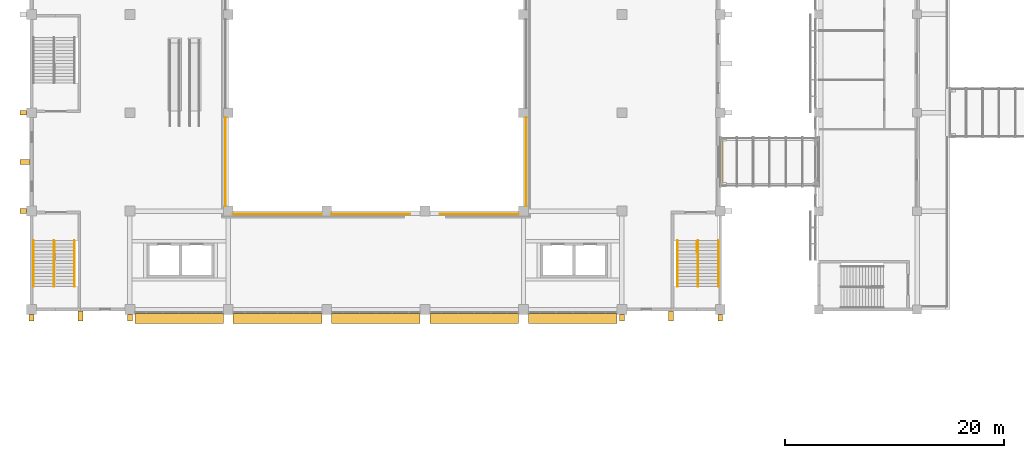
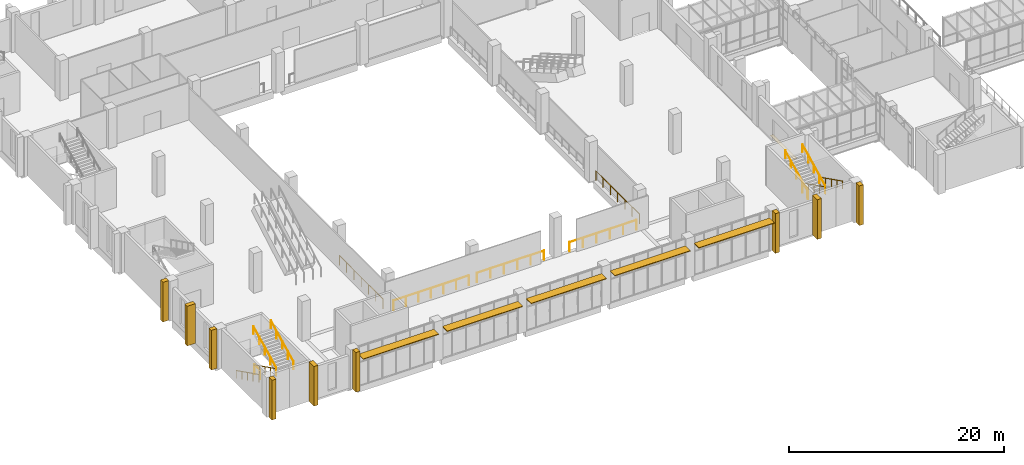
# One storey, part 79 of 88: 15 railings, 10 coverings, 5 shading devices.
"""IFC4 building model written with IfcOpenShell, lengths in metres."""

from ifc_helpers import new_model, si_unit, direction, frame, origin, origin_2d, place, context, subcontext, project, spatial, rectangle, circle, extrude, material, layer, layer_set, type_object, element, save


model = new_model("IFC4")

# Units and contexts
model_context = context("Model", 3, precision=1e-05, world=origin(), true_north=direction((0.0, 1.0)))
body_context = subcontext(model_context, "Body", "Model", "MODEL_VIEW")
ifc_project = project(units=[si_unit("LENGTHUNIT", "METRE"), si_unit("AREAUNIT", "SQUARE_METRE"), si_unit("VOLUMEUNIT", "CUBIC_METRE"), si_unit("PLANEANGLEUNIT", "RADIAN"), si_unit("MASSUNIT", "GRAM", prefix="KILO")], contexts=[model_context])

# Site, building, storey
site_placement = place(None, origin())
site = spatial("IfcSite", under=ifc_project, at=site_placement, CompositionType="ELEMENT")
building_placement = place(site_placement, origin())
building = spatial("IfcBuilding", under=site, at=building_placement, Name="Guidao Yard Department Store", CompositionType="ELEMENT")
storey_placement = place(building_placement, frame((0.0, 0.0, 6.0)))
storey = spatial("IfcBuildingStorey", under=building, at=storey_placement, Name="L01", CompositionType="ELEMENT", Elevation=6.0)

# Covering
ifc_material_1 = material(Name="Stainless steel 316", Category="steel")
ifc_layer_1 = layer(ifc_material_1, 0.010009765625)
ifc_layer_set_1 = layer_set([ifc_layer_1], Name="Bridge joint cover JC1 stainless steel 10 x 335")
covering_type_1 = type_object("IfcCoveringType", Name="Bridge joint cover JC1 stainless steel 10 x 335", PredefinedType="FLOORING", material=ifc_layer_set_1)
covering_1_placement = place(storey_placement, frame((63.0673828125, 58.5, 0.0), z_axis=(0.0, 0.0, 1.0), x_axis=(1.0, 0.0, 0.0)))
element("IfcCovering", 1, at=covering_1_placement, inside=storey, type_object=covering_type_1, Name="Bridge joint cover plate BR01", PredefinedType="FLOORING", context=body_context, shape_type="SweptSolid", body=[
    extrude(rectangle(XDim=0.3349609375, YDim=4.5, at=origin_2d()), origin(), (0.0, 0.0, 1.0), 0.010009765625),
])

# Railings
ifc_material_2 = material(Name="Steel Q235", Category="steel")
railing_type_1 = type_object("IfcRailingType", Name="Guard steel balustrade 1100", PredefinedType="GUARDRAIL", material=ifc_material_2)
for number, where, name in (
    (2, (60.875, 51.239990234375, 0.0), "Stair A2 guard L01 2"),
    (3, (2.125, 51.239990234375, 0.0), "Stair A8 guard L01 8"),
):
    element("IfcRailing", number, at=place(storey_placement, frame(where)), inside=storey, type_object=railing_type_1, Name=name, PredefinedType="GUARDRAIL", context=body_context, shape_type="SweptSolid", body=[
        extrude(circle(Radius=0.02392578125, at=origin_2d()), frame((0.0, 0.0, 1.076171875), z_axis=(0.0, -1.0, 0.0), x_axis=(1.0, 0.0, 0.0)), (0.0, 0.0, 1.0), 1.0),
        extrude(circle(Radius=0.02099609375, at=origin_2d()), origin(), (0.0, 0.0, 1.0), 1.052001953125),
        extrude(circle(Radius=0.02099609375, at=origin_2d()), frame((0.0, -1.0, 0.0)), (0.0, 0.0, 1.0), 1.052001953125),
    ])
railing_1_placement = place(storey_placement, frame((18.449951171875, 53.75, 0.0)))
element("IfcRailing", 4, at=railing_1_placement, inside=storey, type_object=railing_type_1, Name="Guard atrium S L01", PredefinedType="GUARDRAIL", context=body_context, shape_type="SweptSolid", body=[
    extrude(circle(Radius=0.02392578125, at=origin_2d()), frame((0.0, 0.0, 1.076171875), z_axis=(1.0, 0.0, 0.0), x_axis=(0.0, 1.0, 0.0)), (0.0, 0.0, 1.0), 8.10009765625),
    extrude(circle(Radius=0.02099609375, at=origin_2d()), origin(), (0.0, 0.0, 1.0), 1.052001953125),
    extrude(circle(Radius=0.02099609375, at=origin_2d()), frame((1.35009765625, 0.0, 0.0)), (0.0, 0.0, 1.0), 1.052001953125),
    extrude(circle(Radius=0.02099609375, at=origin_2d()), frame((2.699951171875, 0.0, 0.0)), (0.0, 0.0, 1.0), 1.052001953125),
    extrude(circle(Radius=0.02099609375, at=origin_2d()), frame((4.050048828125, 0.0, 0.0)), (0.0, 0.0, 1.0), 1.052001953125),
    extrude(circle(Radius=0.02099609375, at=origin_2d()), frame((5.400146484375, 0.0, 0.0)), (0.0, 0.0, 1.0), 1.052001953125),
    extrude(circle(Radius=0.02099609375, at=origin_2d()), frame((6.75, 0.0, 0.0)), (0.0, 0.0, 1.0), 1.052001953125),
    extrude(circle(Radius=0.02099609375, at=origin_2d()), frame((8.10009765625, 0.0, 0.0)), (0.0, 0.0, 1.0), 1.052001953125),
])
for number, where, name in (
    (5, (27.449951171875, 53.75, 0.0), "Guard atrium S L01"),
    (6, (37.3701171875, 53.75, 0.0), "Guard atrium S L01"),
):
    element("IfcRailing", number, at=place(storey_placement, frame(where)), inside=storey, type_object=railing_type_1, Name=name, PredefinedType="GUARDRAIL", context=body_context, shape_type="SweptSolid", body=[
        extrude(circle(Radius=0.02392578125, at=origin_2d()), frame((0.0, 0.0, 1.076171875), z_axis=(1.0, 0.0, 0.0), x_axis=(0.0, 1.0, 0.0)), (0.0, 0.0, 1.0), 7.179931640625),
        extrude(circle(Radius=0.02099609375, at=origin_2d()), origin(), (0.0, 0.0, 1.0), 1.052001953125),
        extrude(circle(Radius=0.02099609375, at=origin_2d()), frame((1.43603515625, 0.0, 0.0)), (0.0, 0.0, 1.0), 1.052001953125),
        extrude(circle(Radius=0.02099609375, at=origin_2d()), frame((2.8720703125, 0.0, 0.0)), (0.0, 0.0, 1.0), 1.052001953125),
        extrude(circle(Radius=0.02099609375, at=origin_2d()), frame((4.307861328125, 0.0, 0.0)), (0.0, 0.0, 1.0), 1.052001953125),
        extrude(circle(Radius=0.02099609375, at=origin_2d()), frame((5.743896484375, 0.0, 0.0)), (0.0, 0.0, 1.0), 1.052001953125),
        extrude(circle(Radius=0.02099609375, at=origin_2d()), frame((7.179931640625, 0.0, 0.0)), (0.0, 0.0, 1.0), 1.052001953125),
    ])
railing_2_placement = place(storey_placement, frame((45.25, 54.449951171875, 0.0)))
element("IfcRailing", 7, at=railing_2_placement, inside=storey, type_object=railing_type_1, Name="Guard atrium E L01", PredefinedType="GUARDRAIL", context=body_context, shape_type="SweptSolid", body=[
    extrude(circle(Radius=0.02392578125, at=origin_2d()), frame((0.0, 0.0, 1.076171875), z_axis=(0.0, 1.0, 0.0), x_axis=(-1.0, 0.0, 0.0)), (0.0, 0.0, 1.0), 8.10009765625),
    extrude(circle(Radius=0.02099609375, at=origin_2d()), origin(), (0.0, 0.0, 1.0), 1.052001953125),
    extrude(circle(Radius=0.02099609375, at=origin_2d()), frame((0.0, 1.35009765625, 0.0)), (0.0, 0.0, 1.0), 1.052001953125),
    extrude(circle(Radius=0.02099609375, at=origin_2d()), frame((0.0, 2.699951171875, 0.0)), (0.0, 0.0, 1.0), 1.052001953125),
    extrude(circle(Radius=0.02099609375, at=origin_2d()), frame((0.0, 4.050048828125, 0.0)), (0.0, 0.0, 1.0), 1.052001953125),
    extrude(circle(Radius=0.02099609375, at=origin_2d()), frame((0.0, 5.400146484375, 0.0)), (0.0, 0.0, 1.0), 1.052001953125),
    extrude(circle(Radius=0.02099609375, at=origin_2d()), frame((0.0, 6.75, 0.0)), (0.0, 0.0, 1.0), 1.052001953125),
    extrude(circle(Radius=0.02099609375, at=origin_2d()), frame((0.0, 8.10009765625, 0.0)), (0.0, 0.0, 1.0), 1.052001953125),
])
railing_3_placement = place(storey_placement, frame((17.75, 62.550048828125, 0.0)))
element("IfcRailing", 8, at=railing_3_placement, inside=storey, type_object=railing_type_1, Name="Guard atrium W L01", PredefinedType="GUARDRAIL", context=body_context, shape_type="SweptSolid", body=[
    extrude(circle(Radius=0.02392578125, at=origin_2d()), frame((0.0, 0.0, 1.076171875), z_axis=(0.0, -1.0, 0.0), x_axis=(1.0, 0.0, 0.0)), (0.0, 0.0, 1.0), 8.10009765625),
    extrude(circle(Radius=0.02099609375, at=origin_2d()), origin(), (0.0, 0.0, 1.0), 1.052001953125),
    extrude(circle(Radius=0.02099609375, at=origin_2d()), frame((0.0, -1.35009765625, 0.0)), (0.0, 0.0, 1.0), 1.052001953125),
    extrude(circle(Radius=0.02099609375, at=origin_2d()), frame((0.0, -2.699951171875, 0.0)), (0.0, 0.0, 1.0), 1.052001953125),
    extrude(circle(Radius=0.02099609375, at=origin_2d()), frame((0.0, -4.050048828125, 0.0)), (0.0, 0.0, 1.0), 1.052001953125),
    extrude(circle(Radius=0.02099609375, at=origin_2d()), frame((0.0, -5.400146484375, 0.0)), (0.0, 0.0, 1.0), 1.052001953125),
    extrude(circle(Radius=0.02099609375, at=origin_2d()), frame((0.0, -6.75, 0.0)), (0.0, 0.0, 1.0), 1.052001953125),
    extrude(circle(Radius=0.02099609375, at=origin_2d()), frame((0.0, -8.10009765625, 0.0)), (0.0, 0.0, 1.0), 1.052001953125),
])
ifc_material_3 = material(Name="Steel Q235", Category="steel")
railing_type_2 = type_object("IfcRailingType", Name="Handrail steel tube 48", PredefinedType="HANDRAIL", material=ifc_material_3)
for number, where, name in (
    (9, (62.81494140625, 51.300048828125, 0.14990234375), "Stair A2 hand rail L01 5"),
    (10, (60.949951171875, 51.300048828125, 0.14990234375), "Stair A2 hand rail L01 6"),
):
    element("IfcRailing", number, at=place(storey_placement, frame(where)), inside=storey, type_object=railing_type_2, Name=name, PredefinedType="HANDRAIL", context=body_context, shape_type="SweptSolid", body=[
        extrude(circle(Radius=0.02392578125, at=origin_2d()), frame((0.0, 0.0, 0.8759765625), z_axis=(0.0, -0.894416792377, 0.447234392142), x_axis=(1.0, 0.0, 0.0)), (0.0, 0.0, 1.0), 4.69580078125),
        extrude(circle(Radius=0.02099609375, at=origin_2d()), origin(), (0.0, 0.0, 1.0), 0.851806640625),
        extrude(circle(Radius=0.02099609375, at=origin_2d()), frame((0.0, -1.050048828125, 0.52490234375)), (0.0, 0.0, 1.0), 0.851806640625),
        extrude(circle(Radius=0.02099609375, at=origin_2d()), frame((0.0, -2.10009765625, 1.050048828125)), (0.0, 0.0, 1.0), 0.851806640625),
        extrude(circle(Radius=0.02099609375, at=origin_2d()), frame((0.0, -3.14990234375, 1.5751953125)), (0.0, 0.0, 1.0), 0.851806640625),
        extrude(circle(Radius=0.02099609375, at=origin_2d()), frame((0.0, -4.199951171875, 2.10009765625)), (0.0, 0.0, 1.0), 0.851806640625),
    ])
for number, where, name in (
    (11, (59.0849609375, 47.10009765625, 2.39990234375), "Stair A2 hand rail L01 7"),
    (12, (60.949951171875, 47.10009765625, 2.39990234375), "Stair A2 hand rail L01 8"),
):
    element("IfcRailing", number, at=place(storey_placement, frame(where)), inside=storey, type_object=railing_type_2, Name=name, PredefinedType="HANDRAIL", context=body_context, shape_type="SweptSolid", body=[
        extrude(circle(Radius=0.02392578125, at=origin_2d()), frame((0.0, 0.0, 0.8759765625), z_axis=(0.0, 0.894416792377, 0.447234392142), x_axis=(-1.0, 0.0, 0.0)), (0.0, 0.0, 1.0), 4.69580078125),
        extrude(circle(Radius=0.02099609375, at=origin_2d()), origin(), (0.0, 0.0, 1.0), 0.851806640625),
        extrude(circle(Radius=0.02099609375, at=origin_2d()), frame((0.0, 1.050048828125, 0.52490234375)), (0.0, 0.0, 1.0), 0.851806640625),
        extrude(circle(Radius=0.02099609375, at=origin_2d()), frame((0.0, 2.10009765625, 1.050048828125)), (0.0, 0.0, 1.0), 0.851806640625),
        extrude(circle(Radius=0.02099609375, at=origin_2d()), frame((0.0, 3.14990234375, 1.5751953125)), (0.0, 0.0, 1.0), 0.851806640625),
        extrude(circle(Radius=0.02099609375, at=origin_2d()), frame((0.0, 4.199951171875, 2.10009765625)), (0.0, 0.0, 1.0), 0.851806640625),
    ])
for number, where, name in (
    (13, (0.18505859375, 51.300048828125, 0.14990234375), "Stair A8 hand rail L01 29"),
    (14, (2.050048828125, 51.300048828125, 0.14990234375), "Stair A8 hand rail L01 30"),
):
    element("IfcRailing", number, at=place(storey_placement, frame(where)), inside=storey, type_object=railing_type_2, Name=name, PredefinedType="HANDRAIL", context=body_context, shape_type="SweptSolid", body=[
        extrude(circle(Radius=0.02392578125, at=origin_2d()), frame((0.0, 0.0, 0.8759765625), z_axis=(0.0, -0.894416792377, 0.447234392142), x_axis=(1.0, 0.0, 0.0)), (0.0, 0.0, 1.0), 4.69580078125),
        extrude(circle(Radius=0.02099609375, at=origin_2d()), origin(), (0.0, 0.0, 1.0), 0.851806640625),
        extrude(circle(Radius=0.02099609375, at=origin_2d()), frame((0.0, -1.050048828125, 0.52490234375)), (0.0, 0.0, 1.0), 0.851806640625),
        extrude(circle(Radius=0.02099609375, at=origin_2d()), frame((0.0, -2.10009765625, 1.050048828125)), (0.0, 0.0, 1.0), 0.851806640625),
        extrude(circle(Radius=0.02099609375, at=origin_2d()), frame((0.0, -3.14990234375, 1.5751953125)), (0.0, 0.0, 1.0), 0.851806640625),
        extrude(circle(Radius=0.02099609375, at=origin_2d()), frame((0.0, -4.199951171875, 2.10009765625)), (0.0, 0.0, 1.0), 0.851806640625),
    ])
for number, where, name in (
    (15, (3.9150390625, 47.10009765625, 2.39990234375), "Stair A8 hand rail L01 31"),
    (16, (2.050048828125, 47.10009765625, 2.39990234375), "Stair A8 hand rail L01 32"),
):
    element("IfcRailing", number, at=place(storey_placement, frame(where)), inside=storey, type_object=railing_type_2, Name=name, PredefinedType="HANDRAIL", context=body_context, shape_type="SweptSolid", body=[
        extrude(circle(Radius=0.02392578125, at=origin_2d()), frame((0.0, 0.0, 0.8759765625), z_axis=(0.0, 0.894416792377, 0.447234392142), x_axis=(-1.0, 0.0, 0.0)), (0.0, 0.0, 1.0), 4.69580078125),
        extrude(circle(Radius=0.02099609375, at=origin_2d()), origin(), (0.0, 0.0, 1.0), 0.851806640625),
        extrude(circle(Radius=0.02099609375, at=origin_2d()), frame((0.0, 1.050048828125, 0.52490234375)), (0.0, 0.0, 1.0), 0.851806640625),
        extrude(circle(Radius=0.02099609375, at=origin_2d()), frame((0.0, 2.10009765625, 1.050048828125)), (0.0, 0.0, 1.0), 0.851806640625),
        extrude(circle(Radius=0.02099609375, at=origin_2d()), frame((0.0, 3.14990234375, 1.5751953125)), (0.0, 0.0, 1.0), 0.851806640625),
        extrude(circle(Radius=0.02099609375, at=origin_2d()), frame((0.0, 4.199951171875, 2.10009765625)), (0.0, 0.0, 1.0), 0.851806640625),
    ])

# Coverings
ifc_material_4 = material(Name="Precast concrete C40/50", Category="concrete")
ifc_layer_2 = layer(ifc_material_4, 0.449951171875)
ifc_layer_set_2 = layer_set([ifc_layer_2], Name="Precast fin FN1 board-formed concrete")
covering_type_2 = type_object("IfcCoveringType", Name="Precast fin FN1 board-formed concrete", PredefinedType="CLADDING", material=ifc_layer_set_2)
covering_2_placement = place(storey_placement, frame((0.0, 44.25, 0.0), z_axis=(0.0, 0.0, 1.0), x_axis=(-1.0, 0.0, 0.0)))
element("IfcCovering", 17, at=covering_2_placement, inside=storey, type_object=covering_type_2, Name="Precast fin", PredefinedType="CLADDING", context=body_context, shape_type="SweptSolid", body=[
    extrude(rectangle(XDim=0.449951171875, YDim=0.60009765625, at=origin_2d()), origin(), (0.0, 0.0, 1.0), 4.5),
])
covering_3_placement = place(storey_placement, frame((4.5, 44.39990234375, 0.0), z_axis=(0.0, 0.0, 1.0), x_axis=(-1.0, 0.0, 0.0)))
element("IfcCovering", 18, at=covering_3_placement, inside=storey, type_object=covering_type_2, Name="Precast fin", PredefinedType="CLADDING", context=body_context, shape_type="SweptSolid", body=[
    extrude(rectangle(XDim=0.449951171875, YDim=0.89990234375, at=origin_2d()), origin(), (0.0, 0.0, 1.0), 4.5),
])
for number, where, z_axis, x_axis, name in (
    (19, (9.0, 44.25, 0.0), (0.0, 0.0, 1.0), (-1.0, 0.0, 0.0), "Precast fin"),
    (20, (54.0, 44.25, 0.0), (0.0, 0.0, 1.0), (-1.0, 0.0, 0.0), "Precast fin"),
):
    element("IfcCovering", number, at=place(storey_placement, frame(where, z_axis=z_axis, x_axis=x_axis)), inside=storey, type_object=covering_type_2, Name=name, PredefinedType="CLADDING", context=body_context, shape_type="SweptSolid", body=[
        extrude(rectangle(XDim=0.449951171875, YDim=0.60009765625, at=origin_2d()), origin(), (0.0, 0.0, 1.0), 4.5),
    ])
covering_4_placement = place(storey_placement, frame((58.5, 44.39990234375, 0.0), z_axis=(0.0, 0.0, 1.0), x_axis=(-1.0, 0.0, 0.0)))
element("IfcCovering", 21, at=covering_4_placement, inside=storey, type_object=covering_type_2, Name="Precast fin", PredefinedType="CLADDING", context=body_context, shape_type="SweptSolid", body=[
    extrude(rectangle(XDim=0.449951171875, YDim=0.89990234375, at=origin_2d()), origin(), (0.0, 0.0, 1.0), 4.5),
])
for number, where, z_axis, x_axis, name in (
    (22, (63.0, 44.25, 0.0), (0.0, 0.0, 1.0), (-1.0, 0.0, 0.0), "Precast fin"),
    (23, (-0.75, 54.0, 0.0), (0.0, 0.0, 1.0), (0.0, 1.0, 0.0), "Precast fin"),
):
    element("IfcCovering", number, at=place(storey_placement, frame(where, z_axis=z_axis, x_axis=x_axis)), inside=storey, type_object=covering_type_2, Name=name, PredefinedType="CLADDING", context=body_context, shape_type="SweptSolid", body=[
        extrude(rectangle(XDim=0.449951171875, YDim=0.60009765625, at=origin_2d()), origin(), (0.0, 0.0, 1.0), 4.5),
    ])
covering_5_placement = place(storey_placement, frame((-0.60009765625, 58.5, 0.0), z_axis=(0.0, 0.0, 1.0), x_axis=(0.0, 1.0, 0.0)))
element("IfcCovering", 24, at=covering_5_placement, inside=storey, type_object=covering_type_2, Name="Precast fin", PredefinedType="CLADDING", context=body_context, shape_type="SweptSolid", body=[
    extrude(rectangle(XDim=0.449951171875, YDim=0.89990234375, at=origin_2d()), origin(), (0.0, 0.0, 1.0), 4.5),
])
covering_6_placement = place(storey_placement, frame((-0.75, 63.0, 0.0), z_axis=(0.0, 0.0, 1.0), x_axis=(0.0, 1.0, 0.0)))
element("IfcCovering", 25, at=covering_6_placement, inside=storey, type_object=covering_type_2, Name="Precast fin", PredefinedType="CLADDING", context=body_context, shape_type="SweptSolid", body=[
    extrude(rectangle(XDim=0.449951171875, YDim=0.60009765625, at=origin_2d()), origin(), (0.0, 0.0, 1.0), 4.5),
])

# Shading devices
ifc_material_5 = material(Name="Aluminium 6063-T5", Category="aluminium")
ifc_layer_3 = layer(ifc_material_5, 0.080078125)
ifc_layer_set_3 = layer_set([ifc_layer_3], Name="Sunshade blade SB1 aluminium")
shading_device_type = type_object("IfcShadingDeviceType", Name="Sunshade blade SB1 aluminium", PredefinedType="SHUTTER", material=ifc_layer_set_3)
for number, where, z_axis, x_axis, name in (
    (26, (13.5, 44.18994140625, 3.599853515625), (0.0, 0.0, 1.0), (-1.0, 0.0, 0.0), "Sunshade blade"),
    (27, (22.5, 44.18994140625, 3.599853515625), (0.0, 0.0, 1.0), (-1.0, 0.0, 0.0), "Sunshade blade"),
    (28, (31.5, 44.18994140625, 3.599853515625), (0.0, 0.0, 1.0), (-1.0, 0.0, 0.0), "Sunshade blade"),
    (29, (40.5, 44.18994140625, 3.599853515625), (0.0, 0.0, 1.0), (-1.0, 0.0, 0.0), "Sunshade blade"),
    (30, (49.5, 44.18994140625, 3.599853515625), (0.0, 0.0, 1.0), (-1.0, 0.0, 0.0), "Sunshade blade"),
):
    element("IfcShadingDevice", number, at=place(storey_placement, frame(where, z_axis=z_axis, x_axis=x_axis)), inside=storey, type_object=shading_device_type, Name=name, PredefinedType="SHUTTER", context=body_context, shape_type="SweptSolid", body=[
        extrude(rectangle(XDim=8.10009765625, YDim=0.89990234375, at=origin_2d()), origin(), (0.0, 0.0, 1.0), 0.080078125),
    ])

save(model, "model.ifc")
